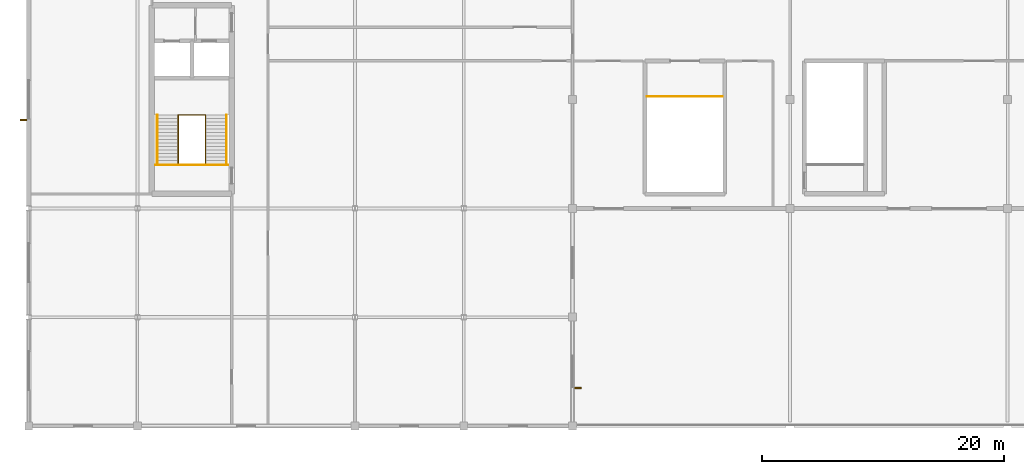
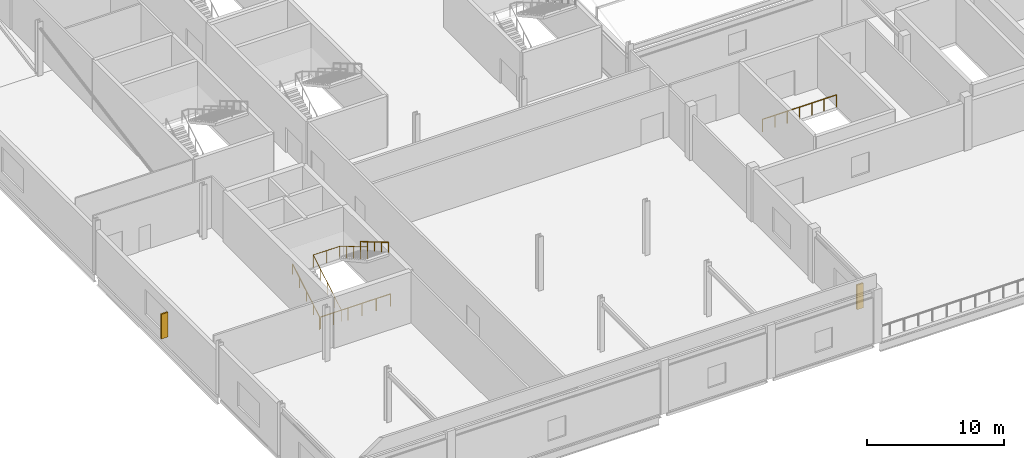
# One storey, part 126 of 136: 5 railings, 2 shading devices.
"""IFC4 building model written with IfcOpenShell, lengths in metres."""

from ifc_helpers import new_model, si_unit, direction, frame, origin, origin_2d, place, context, subcontext, project, spatial, rectangle, circle, extrude, material, type_object, element, save


model = new_model("IFC4")

# Units and contexts
model_context = context("Model", 3, precision=1e-05, world=origin(), true_north=direction((0.0, 1.0)))
body_context = subcontext(model_context, "Body", "Model", "MODEL_VIEW")
ifc_project = project(units=[si_unit("LENGTHUNIT", "METRE"), si_unit("AREAUNIT", "SQUARE_METRE"), si_unit("VOLUMEUNIT", "CUBIC_METRE"), si_unit("PLANEANGLEUNIT", "RADIAN"), si_unit("MASSUNIT", "GRAM", prefix="KILO")], contexts=[model_context])

# Site, building, storey
site_placement = place(None, origin())
site = spatial("IfcSite", under=ifc_project, at=site_placement, CompositionType="ELEMENT")
building_placement = place(site_placement, origin())
building = spatial("IfcBuilding", under=site, at=building_placement, Name="Kisiwana Market Hall", CompositionType="ELEMENT")
storey_placement = place(building_placement, frame((0.0, 0.0, 16.800048828125)))
storey = spatial("IfcBuildingStorey", under=building, at=storey_placement, Name="L03", CompositionType="ELEMENT", Elevation=16.800048828125)

# Railings
ifc_material_1 = material(Name="Steel S275", Category="steel")
railing_type_1 = type_object("IfcRailingType", Name="RL-GUARD-1100", PredefinedType="GUARDRAIL", material=ifc_material_1)
railing_1_placement = place(storey_placement, frame((12.375, 21.674560546875, 0.0)))
element("IfcRailing", 1, at=railing_1_placement, inside=storey, type_object=railing_type_1, Name="Stair ST-W2-L03 inner-well guardrail (RL-639)", PredefinedType="GUARDRAIL", context=body_context, shape_type="SweptSolid", body=[
    extrude(circle(Radius=0.02392578125, at=origin_2d()), frame((0.0, 0.0, 1.076171875), z_axis=(0.0, 0.8608543813, 0.508851387142), x_axis=(-1.0, 0.0, 0.0)), (0.0, 0.0, 1.0), 4.71630859375),
    extrude(circle(Radius=0.02392578125, at=origin_2d()), frame((0.0, 4.06005859375, 3.47607421875), z_axis=(1.0, 0.0, 0.0), x_axis=(0.0, 1.0, 0.0)), (0.0, 0.0, 1.0), 2.25),
    extrude(circle(Radius=0.02392578125, at=origin_2d()), frame((2.25, 4.06005859375, 3.47607421875), z_axis=(0.0, -0.860831705478, 0.508889747237), x_axis=(1.0, 0.0, 0.0)), (0.0, 0.0, 1.0), 4.716552734375),
    extrude(circle(Radius=0.02099609375, at=origin_2d()), origin(), (0.0, 0.0, 1.0), 1.052001953125),
    extrude(circle(Radius=0.02099609375, at=origin_2d()), frame((0.0, 1.01513671875, 0.60009765625)), (0.0, 0.0, 1.0), 1.052001953125),
    extrude(circle(Radius=0.02099609375, at=origin_2d()), frame((0.0, 2.030029296875, 1.199951171875)), (0.0, 0.0, 1.0), 1.052001953125),
    extrude(circle(Radius=0.02099609375, at=origin_2d()), frame((0.0, 3.044921875, 1.7998046875)), (0.0, 0.0, 1.0), 1.052001953125),
    extrude(circle(Radius=0.02099609375, at=origin_2d()), frame((0.0, 4.06005859375, 2.39990234375)), (0.0, 0.0, 1.0), 1.052001953125),
    extrude(circle(Radius=0.02099609375, at=origin_2d()), frame((1.125, 4.06005859375, 2.39990234375)), (0.0, 0.0, 1.0), 1.052001953125),
    extrude(circle(Radius=0.02099609375, at=origin_2d()), frame((2.25, 4.06005859375, 2.39990234375)), (0.0, 0.0, 1.0), 1.052001953125),
    extrude(circle(Radius=0.02099609375, at=origin_2d()), frame((2.25, 3.044921875, 3.0)), (0.0, 0.0, 1.0), 1.052001953125),
    extrude(circle(Radius=0.02099609375, at=origin_2d()), frame((2.25, 2.030029296875, 3.60009765625)), (0.0, 0.0, 1.0), 1.052001953125),
    extrude(circle(Radius=0.02099609375, at=origin_2d()), frame((2.25, 1.01513671875, 4.199951171875)), (0.0, 0.0, 1.0), 1.052001953125),
    extrude(circle(Radius=0.02099609375, at=origin_2d()), frame((2.25, 0.0, 4.800048828125)), (0.0, 0.0, 1.0), 1.052001953125),
])
railing_2_placement = place(storey_placement, frame((10.5048828125, 21.594482421875, 0.0)))
element("IfcRailing", 2, at=railing_2_placement, inside=storey, type_object=railing_type_1, Name="Stair ST-W2-L03 landing edge guardrail (RL-642)", PredefinedType="GUARDRAIL", context=body_context, shape_type="SweptSolid", body=[
    extrude(circle(Radius=0.02392578125, at=origin_2d()), frame((0.0, 0.0, 1.076171875), z_axis=(1.0, 0.0, 0.0), x_axis=(0.0, 1.0, 0.0)), (0.0, 0.0, 1.0), 5.990234375),
    extrude(circle(Radius=0.02099609375, at=origin_2d()), origin(), (0.0, 0.0, 1.0), 1.052001953125),
    extrude(circle(Radius=0.02099609375, at=origin_2d()), frame((1.197998046875, 0.0, 0.0)), (0.0, 0.0, 1.0), 1.052001953125),
    extrude(circle(Radius=0.02099609375, at=origin_2d()), frame((2.39599609375, 0.0, 0.0)), (0.0, 0.0, 1.0), 1.052001953125),
    extrude(circle(Radius=0.02099609375, at=origin_2d()), frame((3.59423828125, 0.0, 0.0)), (0.0, 0.0, 1.0), 1.052001953125),
    extrude(circle(Radius=0.02099609375, at=origin_2d()), frame((4.792236328125, 0.0, 0.0)), (0.0, 0.0, 1.0), 1.052001953125),
    extrude(circle(Radius=0.02099609375, at=origin_2d()), frame((5.990234375, 0.0, 0.0)), (0.0, 0.0, 1.0), 1.052001953125),
])
railing_3_placement = place(storey_placement, frame((51.179931640625, 27.260009765625, 0.0)))
element("IfcRailing", 3, at=railing_3_placement, inside=storey, type_object=railing_type_1, Name="Core S3 top stairwell guardrail (L03) (RL-743)", PredefinedType="GUARDRAIL", context=body_context, shape_type="SweptSolid", body=[
    extrude(circle(Radius=0.02392578125, at=origin_2d()), frame((0.0, 0.0, 1.076171875), z_axis=(1.0, 0.0, 0.0), x_axis=(0.0, 1.0, 0.0)), (0.0, 0.0, 1.0), 6.239990234375),
    extrude(circle(Radius=0.02099609375, at=origin_2d()), origin(), (0.0, 0.0, 1.0), 1.052001953125),
    extrude(circle(Radius=0.02099609375, at=origin_2d()), frame((1.0400390625, 0.0, 0.0)), (0.0, 0.0, 1.0), 1.052001953125),
    extrude(circle(Radius=0.02099609375, at=origin_2d()), frame((2.080078125, 0.0, 0.0)), (0.0, 0.0, 1.0), 1.052001953125),
    extrude(circle(Radius=0.02099609375, at=origin_2d()), frame((3.1201171875, 0.0, 0.0)), (0.0, 0.0, 1.0), 1.052001953125),
    extrude(circle(Radius=0.02099609375, at=origin_2d()), frame((4.159912109375, 0.0, 0.0)), (0.0, 0.0, 1.0), 1.052001953125),
    extrude(circle(Radius=0.02099609375, at=origin_2d()), frame((5.199951171875, 0.0, 0.0)), (0.0, 0.0, 1.0), 1.052001953125),
    extrude(circle(Radius=0.02099609375, at=origin_2d()), frame((6.239990234375, 0.0, 0.0)), (0.0, 0.0, 1.0), 1.052001953125),
])
ifc_material_2 = material(Name="Steel S275", Category="steel")
railing_type_2 = type_object("IfcRailingType", Name="RL-HAND-900", PredefinedType="HANDRAIL", material=ifc_material_2)
railing_4_placement = place(storey_placement, frame((10.635009765625, 21.674560546875, 0.0)))
element("IfcRailing", 4, at=railing_4_placement, inside=storey, type_object=railing_type_2, Name="Stair ST-W2-L03 flight 1 handrail (RL-640)", PredefinedType="HANDRAIL", context=body_context, shape_type="SweptSolid", body=[
    extrude(circle(Radius=0.02392578125, at=origin_2d()), frame((0.0, 0.0, 0.8759765625), z_axis=(0.0, 0.8608543813, 0.508851387142), x_axis=(-1.0, 0.0, 0.0)), (0.0, 0.0, 1.0), 4.71630859375),
    extrude(circle(Radius=0.02099609375, at=origin_2d()), origin(), (0.0, 0.0, 1.0), 0.851806640625),
    extrude(circle(Radius=0.02099609375, at=origin_2d()), frame((0.0, 1.01513671875, 0.60009765625)), (0.0, 0.0, 1.0), 0.851806640625),
    extrude(circle(Radius=0.02099609375, at=origin_2d()), frame((0.0, 2.030029296875, 1.199951171875)), (0.0, 0.0, 1.0), 0.851806640625),
    extrude(circle(Radius=0.02099609375, at=origin_2d()), frame((0.0, 3.044921875, 1.7998046875)), (0.0, 0.0, 1.0), 0.851806640625),
    extrude(circle(Radius=0.02099609375, at=origin_2d()), frame((0.0, 4.06005859375, 2.39990234375)), (0.0, 0.0, 1.0), 0.851806640625),
])
railing_5_placement = place(storey_placement, frame((16.364990234375, 25.734619140625, 2.39990234375)))
element("IfcRailing", 5, at=railing_5_placement, inside=storey, type_object=railing_type_2, Name="Stair ST-W2-L03 flight 2 handrail (RL-641)", PredefinedType="HANDRAIL", context=body_context, shape_type="SweptSolid", body=[
    extrude(circle(Radius=0.02392578125, at=origin_2d()), frame((0.0, 0.0, 0.8759765625), z_axis=(0.0, -0.860831705478, 0.508889747237), x_axis=(1.0, 0.0, 0.0)), (0.0, 0.0, 1.0), 4.716552734375),
    extrude(circle(Radius=0.02099609375, at=origin_2d()), origin(), (0.0, 0.0, 1.0), 0.851806640625),
    extrude(circle(Radius=0.02099609375, at=origin_2d()), frame((0.0, -1.01513671875, 0.60009765625)), (0.0, 0.0, 1.0), 0.851806640625),
    extrude(circle(Radius=0.02099609375, at=origin_2d()), frame((0.0, -2.030029296875, 1.2001953125)), (0.0, 0.0, 1.0), 0.851806640625),
    extrude(circle(Radius=0.02099609375, at=origin_2d()), frame((0.0, -3.044921875, 1.800048828125)), (0.0, 0.0, 1.0), 0.851806640625),
    extrude(circle(Radius=0.02099609375, at=origin_2d()), frame((0.0, -4.06005859375, 2.400146484375)), (0.0, 0.0, 1.0), 0.851806640625),
])

# Shading devices
ifc_material_3 = material(Name="Aluminium alloy 6063-T6", Category="aluminium")
shading_device_type = type_object("IfcShadingDeviceType", Name="SHD-SHUTTER-V", PredefinedType="SHUTTER", material=ifc_material_3)
for number, where, z_axis, x_axis, name in (
    (6, (-0.445068359375, 25.320068359375, 0.85009765625), (0.0, 0.0, 1.0), (0.0, 1.0, 0.0), "Vertical solar fin SHD-063 SD-063"),
    (7, (45.445068359375, 3.1201171875, 0.85009765625), (0.0, 0.0, 1.0), (0.0, 1.0, 0.0), "Vertical solar fin SHD-065 SD-065"),
):
    element("IfcShadingDevice", number, at=place(storey_placement, frame(where, z_axis=z_axis, x_axis=x_axis)), inside=storey, type_object=shading_device_type, Name=name, PredefinedType="SHUTTER", context=body_context, shape_type="SweptSolid", body=[
        extrude(rectangle(XDim=0.1201171875, YDim=0.550048828125, at=origin_2d()), origin(), (0.0, 0.0, 1.0), 2.199951171875),
    ])

save(model, "model.ifc")
